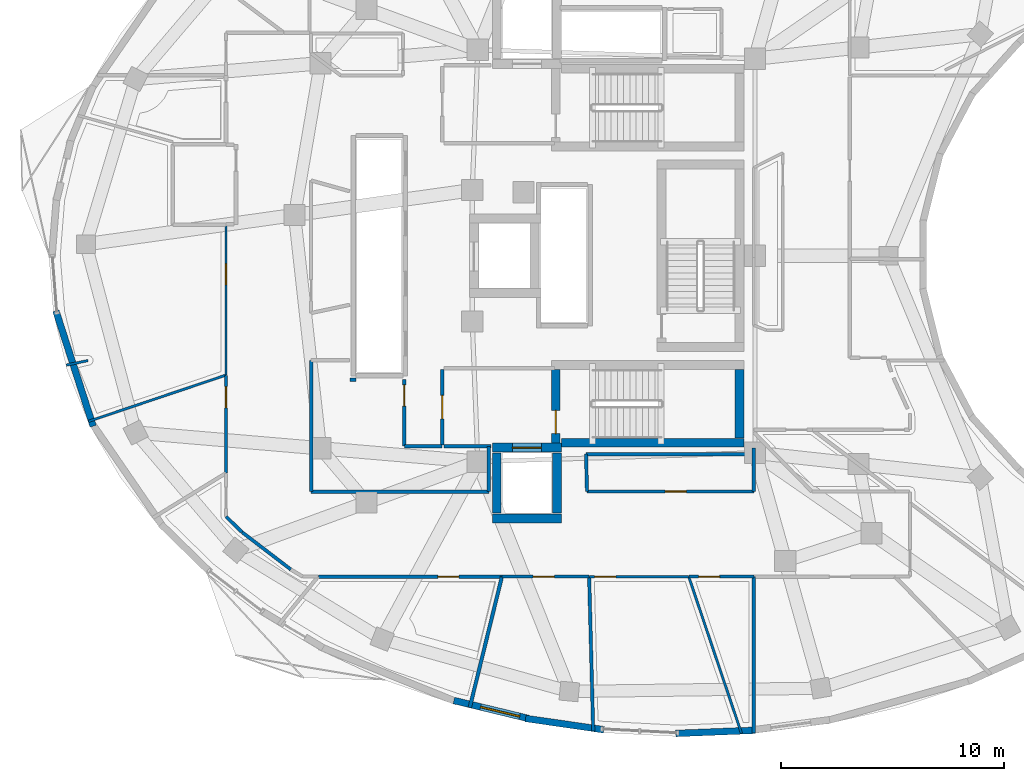
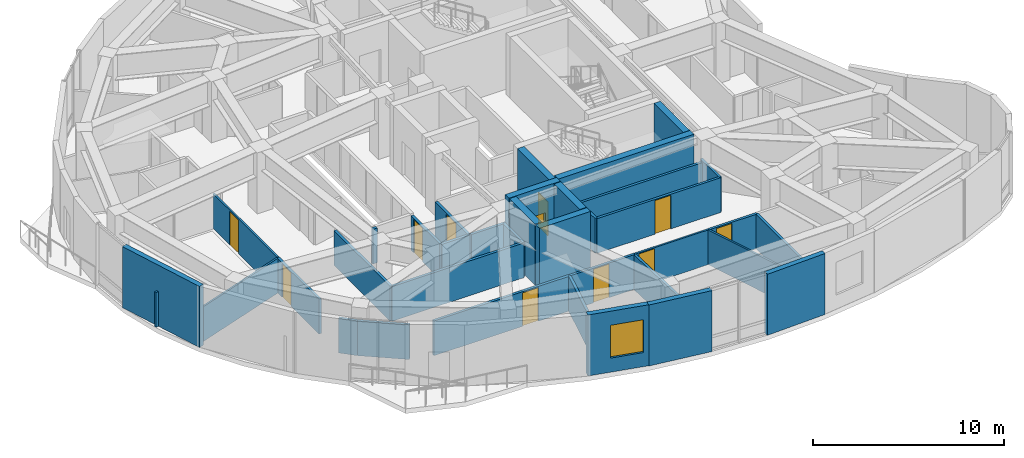
# One storey, part 6 of 13: 37 walls, 11 doors, 1 window, 12 openings.
"""IFC4 building model written with IfcOpenShell, lengths in metres."""

from ifc_helpers import new_model, si_unit, direction, frame, frame_2d, origin, place, context, subcontext, project, spatial, rectangle, extrude, material, layer, layer_set, type_object, element, fill, save


model = new_model("IFC4")

# Units and contexts
model_context = context("Model", 3, precision=1e-05, world=origin(), true_north=direction((0.0, 1.0)))
body_context = subcontext(model_context, "Body", "Model", "MODEL_VIEW")
ifc_project = project(units=[si_unit("LENGTHUNIT", "METRE"), si_unit("AREAUNIT", "SQUARE_METRE"), si_unit("VOLUMEUNIT", "CUBIC_METRE"), si_unit("PLANEANGLEUNIT", "RADIAN"), si_unit("MASSUNIT", "GRAM", prefix="KILO")], contexts=[model_context])

# Site, building, storey
site_placement = place(None, origin())
site = spatial("IfcSite", under=ifc_project, at=site_placement, CompositionType="ELEMENT")
building_placement = place(site_placement, origin())
building = spatial("IfcBuilding", under=site, at=building_placement, Name="Korentha Bioscience Tower", CompositionType="ELEMENT")
storey_placement = place(building_placement, frame((0.0, 0.0, 256.199951171875)))
storey = spatial("IfcBuildingStorey", under=building, at=storey_placement, Name="L59", CompositionType="ELEMENT", Elevation=256.199951171875)

# Wall, opening, door
ifc_material_1 = material(Name="Double-Stud Acoustic Gypsum", Category="gypsum")
ifc_layer_1 = layer(ifc_material_1, 0.14990234375, Name="Double-Stud Acoustic Gypsum")
ifc_layer_set_1 = layer_set([ifc_layer_1], Name="Double-Stud Acoustic Gypsum (IW-L150)")
wall_type_1 = type_object("IfcWallType", Name="Acoustic Laboratory Partition Wall 150", PredefinedType="PARTITIONING", material=ifc_layer_set_1)
wall_1_placement = place(storey_placement, frame((13.7900390625, 21.62890625, 0.0), z_axis=(0.0, 0.0, 1.0), x_axis=(0.0, -1.0, 0.0)))
wall_1 = element("IfcWall", 1, at=wall_1_placement, inside=storey, type_object=wall_type_1, Name="L59 Research Colloquium Seminar Room 02 Entrance Wall", PredefinedType="PARTITIONING", context=body_context, shape_type="SweptSolid", body=[
    extrude(rectangle(XDim=4.3916015625, YDim=0.14990234375, at=frame_2d((2.19580078125, 0.0))), origin(), (0.0, 0.0, 1.0), 2.219970703125),
])
opening_1_placement = place(wall_1_placement, frame((0.5107421875, 0.0, 0.0)))
opening_1 = element("IfcOpeningElement", 2, at=opening_1_placement, cuts=wall_1, Name="Opening ID-10L", PredefinedType="OPENING", context=body_context, shape_type="SweptSolid", body=[
    extrude(rectangle(XDim=0.949951171875, YDim=2.14990234375, at=frame_2d((0.47509765625, 1.074951171875))), frame((0.0, 0.08984375, 0.0), z_axis=(0.0, -1.0, 0.0), x_axis=(1.0, 0.0, 0.0)), (0.0, 0.0, 1.0), 0.1796875),
])
ifc_material_2 = material(Name="Phenolic Laminate Timber Core", Category="wood")
door_type_1 = type_object("IfcDoorType", Name="Laboratory Single Leaf Door 950x2150 Left", OperationType="SINGLE_SWING_LEFT", PredefinedType="DOOR", material=ifc_material_2)
door_1_placement = place(opening_1_placement, origin())
door_1 = element("IfcDoor", 3, at=door_1_placement, inside=storey, type_object=door_type_1, Name="L59 Research Colloquium Seminar Room 02 Door", OperationType="SINGLE_SWING_LEFT", OverallHeight=2.14990234375, OverallWidth=0.949951171875, PredefinedType="DOOR", context=body_context, shape_type="SweptSolid", body=[
    extrude(rectangle(XDim=0.949951171875, YDim=2.14990234375, at=frame_2d((0.47509765625, 1.074951171875))), frame((0.0, 0.02490234375, 0.0), z_axis=(0.0, -1.0, 0.0), x_axis=(1.0, 0.0, 0.0)), (0.0, 0.0, 1.0), 0.050048828125),
])
fill(opening_1, door_1)

wall_2_placement = place(storey_placement, frame((26.193603515625, 12.590087890625, 0.0), z_axis=(0.0, 0.0, 1.0), x_axis=(1.0, 0.0, 0.0)))
wall_2 = element("IfcWall", 4, at=wall_2_placement, inside=storey, type_object=wall_type_1, Name="L59 Epidemiology Modelling Studio 06 Entrance Wall", PredefinedType="PARTITIONING", context=body_context, shape_type="SweptSolid", body=[
    extrude(rectangle(XDim=3.90673828125, YDim=0.14990234375, at=frame_2d((1.953369140625, 0.0))), origin(), (0.0, 0.0, 1.0), 2.219970703125),
])
opening_2_placement = place(wall_2_placement, frame((1.3955078125, 0.0, 0.0)))
opening_2 = element("IfcOpeningElement", 5, at=opening_2_placement, cuts=wall_2, Name="Opening ID-10L", PredefinedType="OPENING", context=body_context, shape_type="SweptSolid", body=[
    extrude(rectangle(XDim=0.949951171875, YDim=2.14990234375, at=frame_2d((0.47509765625, 1.074951171875))), frame((0.0, 0.08984375, 0.0), z_axis=(0.0, -1.0, 0.0), x_axis=(1.0, 0.0, 0.0)), (0.0, 0.0, 1.0), 0.1796875),
])
door_2_placement = place(opening_2_placement, origin())
door_2 = element("IfcDoor", 6, at=door_2_placement, inside=storey, type_object=door_type_1, Name="L59 Epidemiology Modelling Studio 06 Door", OperationType="SINGLE_SWING_LEFT", OverallHeight=2.14990234375, OverallWidth=0.949951171875, PredefinedType="DOOR", context=body_context, shape_type="SweptSolid", body=[
    extrude(rectangle(XDim=0.949951171875, YDim=2.14990234375, at=frame_2d((0.47509765625, 1.074951171875))), frame((0.0, 0.02490234375, 0.0), z_axis=(0.0, -1.0, 0.0), x_axis=(1.0, 0.0, 0.0)), (0.0, 0.0, 1.0), 0.050048828125),
])
fill(opening_2, door_2)

wall_3_placement = place(storey_placement, frame((37.498046875, 16.409912109375, 0.0), z_axis=(0.0, 0.0, 1.0), x_axis=(-1.0, 0.0, 0.0)))
wall_3 = element("IfcWall", 7, at=wall_3_placement, inside=storey, type_object=wall_type_1, Name="L59 Grant Review Seminar Room 08 Entrance Wall", PredefinedType="PARTITIONING", context=body_context, shape_type="SweptSolid", body=[
    extrude(rectangle(XDim=7.49365234375, YDim=0.14990234375, at=frame_2d((3.746826171875, 0.0))), origin(), (0.0, 0.0, 1.0), 2.219970703125),
])
opening_3_placement = place(wall_3_placement, frame((3.033447265625, 0.0, 0.0)))
opening_3 = element("IfcOpeningElement", 8, at=opening_3_placement, cuts=wall_3, Name="Opening ID-10L", PredefinedType="OPENING", context=body_context, shape_type="SweptSolid", body=[
    extrude(rectangle(XDim=0.949951171875, YDim=2.14990234375, at=frame_2d((0.47509765625, 1.074951171875))), frame((0.0, 0.08984375, 0.0), z_axis=(0.0, -1.0, 0.0), x_axis=(1.0, 0.0, 0.0)), (0.0, 0.0, 1.0), 0.1796875),
])
door_3_placement = place(opening_3_placement, origin())
door_3 = element("IfcDoor", 9, at=door_3_placement, inside=storey, type_object=door_type_1, Name="L59 Grant Review Seminar Room 08 Door", OperationType="SINGLE_SWING_LEFT", OverallHeight=2.14990234375, OverallWidth=0.949951171875, PredefinedType="DOOR", context=body_context, shape_type="SweptSolid", body=[
    extrude(rectangle(XDim=0.949951171875, YDim=2.14990234375, at=frame_2d((0.47509765625, 1.074951171875))), frame((0.0, 0.02490234375, 0.0), z_axis=(0.0, -1.0, 0.0), x_axis=(1.0, 0.0, 0.0)), (0.0, 0.0, 1.0), 0.050048828125),
])
fill(opening_3, door_3)

wall_4_placement = place(storey_placement, frame((34.5830078125, 12.590087890625, 0.0), z_axis=(0.0, 0.0, 1.0), x_axis=(1.0, 0.0, 0.0)))
wall_4 = element("IfcWall", 10, at=wall_4_placement, inside=storey, type_object=wall_type_1, Name="L59 Daylight Break and Coffee Bar 09 Entrance Wall", PredefinedType="PARTITIONING", context=body_context, shape_type="SweptSolid", body=[
    extrude(rectangle(XDim=2.9150390625, YDim=0.14990234375, at=frame_2d((1.45751953125, 0.0))), origin(), (0.0, 0.0, 1.0), 2.219970703125),
])
opening_4_placement = place(wall_4_placement, frame((0.429443359375, 0.0, 0.0)))
opening_4 = element("IfcOpeningElement", 11, at=opening_4_placement, cuts=wall_4, Name="Opening ID-10R", PredefinedType="OPENING", context=body_context, shape_type="SweptSolid", body=[
    extrude(rectangle(XDim=0.949951171875, YDim=2.14990234375, at=frame_2d((0.47509765625, 1.074951171875))), frame((0.0, 0.08984375, 0.0), z_axis=(0.0, -1.0, 0.0), x_axis=(1.0, 0.0, 0.0)), (0.0, 0.0, 1.0), 0.1796875),
])
door_type_2 = type_object("IfcDoorType", Name="Laboratory Single Leaf Door 950x2150 Right", OperationType="SINGLE_SWING_RIGHT", PredefinedType="DOOR", material=ifc_material_2)
door_4_placement = place(opening_4_placement, origin())
door_4 = element("IfcDoor", 12, at=door_4_placement, inside=storey, type_object=door_type_2, Name="L59 Daylight Break and Coffee Bar 09 Door", OperationType="SINGLE_SWING_RIGHT", OverallHeight=2.14990234375, OverallWidth=0.949951171875, PredefinedType="DOOR", context=body_context, shape_type="SweptSolid", body=[
    extrude(rectangle(XDim=0.949951171875, YDim=2.14990234375, at=frame_2d((0.47509765625, 1.074951171875))), frame((0.0, 0.02490234375, 0.0), z_axis=(0.0, -1.0, 0.0), x_axis=(1.0, 0.0, 0.0)), (0.0, 0.0, 1.0), 0.050048828125),
])
fill(opening_4, door_4)

# Walls
wall_5_placement = place(storey_placement, frame((13.79296875, 15.2841796875, 0.0), z_axis=(0.0, 0.0, 1.0), x_axis=(0.7160122468, -0.698087718294, 0.0)))
element("IfcWall", 13, at=wall_5_placement, inside=storey, type_object=wall_type_1, Name="L59 Interior Partition 039", PredefinedType="PARTITIONING", context=body_context, shape_type="SweptSolid", body=[
    extrude(rectangle(XDim=1.0078125, YDim=0.14990234375, at=frame_2d((0.50390625, 0.0))), origin(), (0.0, 0.0, 1.0), 2.219970703125),
])
wall_6_placement = place(storey_placement, frame((14.515625, 14.579833984375, 0.0), z_axis=(0.0, 0.0, 1.0), x_axis=(0.794390609039, -0.60740724417, 0.0)))
element("IfcWall", 14, at=wall_6_placement, inside=storey, type_object=wall_type_1, Name="L59 Interior Partition 040", PredefinedType="PARTITIONING", context=body_context, shape_type="SweptSolid", body=[
    extrude(rectangle(XDim=2.74853515625, YDim=0.14990234375, at=frame_2d((1.374267578125, 0.0))), origin(), (0.0, 0.0, 1.0), 2.219970703125),
])
wall_7_placement = place(storey_placement, frame((30.100341796875, 12.590087890625, 0.0), z_axis=(0.0, 0.0, 1.0), x_axis=(0.026207563796, -0.999656522812, 0.0)))
element("IfcWall", 15, at=wall_7_placement, inside=storey, type_object=wall_type_1, Name="L59 Interior Partition 051", PredefinedType="PARTITIONING", context=body_context, shape_type="SweptSolid", body=[
    extrude(rectangle(XDim=6.930908203125, YDim=0.14990234375, at=frame_2d((3.46533203125, 0.0))), origin(), (0.0, 0.0, 1.0), 2.219970703125),
])
wall_8_placement = place(storey_placement, frame((37.498046875, 18.3642578125, 0.0), z_axis=(0.0, 0.0, 1.0), x_axis=(0.0, -1.0, 0.0)))
element("IfcWall", 16, at=wall_8_placement, inside=storey, type_object=wall_type_1, Name="L59 Interior Partition 053", PredefinedType="PARTITIONING", context=body_context, shape_type="SweptSolid", body=[
    extrude(rectangle(XDim=1.954345703125, YDim=0.14990234375, at=frame_2d((0.97705078125, 0.0))), origin(), (0.0, 0.0, 1.0), 2.219970703125),
])
wall_9_placement = place(storey_placement, frame((30.00439453125, 16.409912109375, 0.0), z_axis=(0.0, 0.0, 1.0), x_axis=(-0.026146245732, 0.999658128479, 0.0)))
element("IfcWall", 17, at=wall_9_placement, inside=storey, type_object=wall_type_1, Name="L59 Interior Partition 054", PredefinedType="PARTITIONING", context=body_context, shape_type="SweptSolid", body=[
    extrude(rectangle(XDim=1.6806640625, YDim=0.14990234375, at=frame_2d((0.84033203125, 0.0))), origin(), (0.0, 0.0, 1.0), 2.219970703125),
])
wall_10_placement = place(storey_placement, frame((29.96044921875, 18.090087890625, 0.0), z_axis=(0.0, 0.0, 1.0), x_axis=(1.0, 0.0, 0.0)))
element("IfcWall", 18, at=wall_10_placement, inside=storey, type_object=wall_type_1, Name="L59 Interior Partition 055", PredefinedType="PARTITIONING", context=body_context, shape_type="SweptSolid", body=[
    extrude(rectangle(XDim=7.3896484375, YDim=0.14990234375, at=frame_2d((3.69482421875, 0.0))), origin(), (0.0, 0.0, 1.0), 2.219970703125),
])
wall_11_placement = place(storey_placement, frame((37.498046875, 12.590087890625, 0.0), z_axis=(0.0, 0.0, 1.0), x_axis=(0.0, -1.0, 0.0)))
element("IfcWall", 19, at=wall_11_placement, inside=storey, type_object=wall_type_1, Name="L59 Interior Partition 056", PredefinedType="PARTITIONING", context=body_context, shape_type="SweptSolid", body=[
    extrude(rectangle(XDim=7.02392578125, YDim=0.14990234375, at=frame_2d((3.511962890625, 0.0))), origin(), (0.0, 0.0, 1.0), 2.219970703125),
])

# Wall, opening, door
ifc_material_3 = material(Name="Fire-Rated Framed Glass", Category="glass")
ifc_layer_2 = layer(ifc_material_3, 0.110107421875, Name="Fire-Rated Framed Glass")
ifc_layer_set_2 = layer_set([ifc_layer_2], Name="Fire-Rated Framed Glass (IW-G110)")
wall_type_2 = type_object("IfcWallType", Name="Demountable Glazed Office Partition 110", PredefinedType="MOVABLE", material=ifc_layer_set_2)
wall_12_placement = place(storey_placement, frame((13.7900390625, 28.389892578125, 0.0), z_axis=(0.0, 0.0, 1.0), x_axis=(0.0, -1.0, 0.0)))
wall_12 = element("IfcWall", 20, at=wall_12_placement, inside=storey, type_object=wall_type_2, Name="L59 Principal Investigator Office 01 Entrance Wall", PredefinedType="MOVABLE", context=body_context, shape_type="SweptSolid", body=[
    extrude(rectangle(XDim=6.75048828125, YDim=0.110107421875, at=frame_2d((3.375244140625, 0.0))), origin(), (0.0, 0.0, 1.0), 2.219970703125),
])
opening_5_placement = place(wall_12_placement, frame((1.752197265625, 0.0, 0.0)))
opening_5 = element("IfcOpeningElement", 21, at=opening_5_placement, cuts=wall_12, Name="Opening ID-10R", PredefinedType="OPENING", context=body_context, shape_type="SweptSolid", body=[
    extrude(rectangle(XDim=0.949951171875, YDim=2.14990234375, at=frame_2d((0.47509765625, 1.074951171875))), frame((0.0, 0.06982421875, 0.0), z_axis=(0.0, -1.0, 0.0), x_axis=(1.0, 0.0, 0.0)), (0.0, 0.0, 1.0), 0.139892578125),
])
door_5_placement = place(opening_5_placement, origin())
door_5 = element("IfcDoor", 22, at=door_5_placement, inside=storey, type_object=door_type_2, Name="L59 Principal Investigator Office 01 Door", OperationType="SINGLE_SWING_RIGHT", OverallHeight=2.14990234375, OverallWidth=0.949951171875, PredefinedType="DOOR", context=body_context, shape_type="SweptSolid", body=[
    extrude(rectangle(XDim=0.949951171875, YDim=2.14990234375, at=frame_2d((0.47509765625, 1.074951171875))), frame((0.0, 0.02490234375, 0.0), z_axis=(0.0, -1.0, 0.0), x_axis=(1.0, 0.0, 0.0)), (0.0, 0.0, 1.0), 0.050048828125),
])
fill(opening_5, door_5)

wall_13_placement = place(storey_placement, frame((30.1103515625, 12.590087890625, 0.0), z_axis=(0.0, 0.0, 1.0), x_axis=(1.0, 0.0, 0.0)))
wall_13 = element("IfcWall", 23, at=wall_13_placement, inside=storey, type_object=wall_type_2, Name="L59 Senior Scientist Corner Office 07 Entrance Wall", PredefinedType="MOVABLE", context=body_context, shape_type="SweptSolid", body=[
    extrude(rectangle(XDim=4.462158203125, YDim=0.110107421875, at=frame_2d((2.23095703125, 0.0))), origin(), (0.0, 0.0, 1.0), 2.219970703125),
])
opening_6_placement = place(wall_13_placement, frame((0.239990234375, 0.0, 0.0)))
opening_6 = element("IfcOpeningElement", 24, at=opening_6_placement, cuts=wall_13, Name="Opening ID-10R", PredefinedType="OPENING", context=body_context, shape_type="SweptSolid", body=[
    extrude(rectangle(XDim=0.949951171875, YDim=2.14990234375, at=frame_2d((0.47509765625, 1.074951171875))), frame((0.0, 0.06982421875, 0.0), z_axis=(0.0, -1.0, 0.0), x_axis=(1.0, 0.0, 0.0)), (0.0, 0.0, 1.0), 0.139892578125),
])
door_6_placement = place(opening_6_placement, origin())
door_6 = element("IfcDoor", 25, at=door_6_placement, inside=storey, type_object=door_type_2, Name="L59 Senior Scientist Corner Office 07 Door", OperationType="SINGLE_SWING_RIGHT", OverallHeight=2.14990234375, OverallWidth=0.949951171875, PredefinedType="DOOR", context=body_context, shape_type="SweptSolid", body=[
    extrude(rectangle(XDim=0.949951171875, YDim=2.14990234375, at=frame_2d((0.47509765625, 1.074951171875))), frame((0.0, 0.02490234375, 0.0), z_axis=(0.0, -1.0, 0.0), x_axis=(1.0, 0.0, 0.0)), (0.0, 0.0, 1.0), 0.050048828125),
])
fill(opening_6, door_6)

# Walls
wall_14_placement = place(storey_placement, frame((13.7900390625, 21.639404296875, 0.0), z_axis=(0.0, 0.0, 1.0), x_axis=(-0.947761619346, -0.318979486636, 0.0)))
element("IfcWall", 26, at=wall_14_placement, inside=storey, type_object=wall_type_2, Name="L59 Interior Partition 036", PredefinedType="MOVABLE", context=body_context, shape_type="SweptSolid", body=[
    extrude(rectangle(XDim=6.51806640625, YDim=0.110107421875, at=frame_2d((3.259033203125, 0.0))), origin(), (0.0, 0.0, 1.0), 2.219970703125),
])
wall_15_placement = place(storey_placement, frame((6.617431640625, 22.086181640625, 0.0), z_axis=(0.0, 0.0, 1.0), x_axis=(0.978112274726, 0.208077817245, 0.0)))
element("IfcWall", 27, at=wall_15_placement, inside=storey, type_object=wall_type_2, Name="L59 Interior Partition 037", PredefinedType="MOVABLE", context=body_context, shape_type="SweptSolid", body=[
    extrude(rectangle(XDim=0.999755859375, YDim=0.110107421875, at=frame_2d((0.5, 0.0))), origin(), (0.0, 0.0, 1.0), 2.219970703125),
])
wall_16_placement = place(storey_placement, frame((34.572509765625, 12.590087890625, 0.0), z_axis=(0.0, 0.0, 1.0), x_axis=(0.318948473563, -0.947772056568, 0.0)))
element("IfcWall", 28, at=wall_16_placement, inside=storey, type_object=wall_type_2, Name="L59 Interior Partition 052", PredefinedType="MOVABLE", context=body_context, shape_type="SweptSolid", body=[
    extrude(rectangle(XDim=7.426513671875, YDim=0.110107421875, at=frame_2d((3.71337890625, 0.0))), origin(), (0.0, 0.0, 1.0), 2.219970703125),
])

# Wall, opening, door
ifc_material_4 = material(Name="Gypsum-Clad Steel Stud", Category="steel")
ifc_layer_3 = layer(ifc_material_4, 0.159912109375, Name="Gypsum-Clad Steel Stud")
ifc_layer_set_3 = layer_set([ifc_layer_3], Name="Gypsum-Clad Steel Stud (IW-C160)")
wall_type_3 = type_object("IfcWallType", Name="Fire-Rated Corridor Partition Wall 160", PredefinedType="PARTITIONING", material=ifc_layer_set_3)
wall_17_placement = place(storey_placement, frame((23.5, 18.5, 0.0), z_axis=(0.0, 0.0, 1.0), x_axis=(0.0, 1.0, 0.0)))
wall_17 = element("IfcWall", 29, at=wall_17_placement, inside=storey, type_object=wall_type_3, Name="L59 FFLS-CW Rated Enclosure Wall", PredefinedType="PARTITIONING", context=body_context, shape_type="SweptSolid", body=[
    extrude(rectangle(XDim=3.39990234375, YDim=0.159912109375, at=frame_2d((1.699951171875, 0.0))), origin(), (0.0, 0.0, 1.0), 2.219970703125),
])
opening_7_placement = place(wall_17_placement, frame((1.175048828125, 0.0, 0.0)))
opening_7 = element("IfcOpeningElement", 30, at=opening_7_placement, cuts=wall_17, Name="Opening FD-90R", PredefinedType="OPENING", context=body_context, shape_type="SweptSolid", body=[
    extrude(rectangle(XDim=1.050048828125, YDim=2.14990234375, at=frame_2d((0.52490234375, 1.074951171875))), frame((0.0, 0.0947265625, 0.0), z_axis=(0.0, -1.0, 0.0), x_axis=(1.0, 0.0, 0.0)), (0.0, 0.0, 1.0), 0.189697265625),
])
ifc_material_5 = material(Name="Powder-Coated Fire-Rated Steel", Category="steel")
door_type_3 = type_object("IfcDoorType", Name="Stairwell Fire Exit Door 1050x2150 Right", OperationType="SINGLE_SWING_RIGHT", PredefinedType="DOOR", material=ifc_material_5)
door_7_placement = place(opening_7_placement, origin())
door_7 = element("IfcDoor", 31, at=door_7_placement, inside=storey, type_object=door_type_3, Name="L59 South Firefighting Lobby Door", OperationType="SINGLE_SWING_RIGHT", OverallHeight=2.14990234375, OverallWidth=1.050048828125, PredefinedType="DOOR", context=body_context, shape_type="SweptSolid", body=[
    extrude(rectangle(XDim=1.050048828125, YDim=2.14990234375, at=frame_2d((0.52490234375, 1.074951171875))), frame((0.0, 0.02490234375, 0.0), z_axis=(0.0, -1.0, 0.0), x_axis=(1.0, 0.0, 0.0)), (0.0, 0.0, 1.0), 0.050048828125),
])
fill(opening_7, door_7)

# Wall
wall_18_placement = place(storey_placement, frame((23.580078125, 18.449951171875, 0.0), z_axis=(0.0, 0.0, 1.0), x_axis=(1.0, 0.0, 0.0)))
element("IfcWall", 32, at=wall_18_placement, inside=storey, type_object=wall_type_3, Name="L59 Firefighting Lobby Return Wall FFLS-S", PredefinedType="PARTITIONING", context=body_context, shape_type="SweptSolid", body=[
    extrude(rectangle(XDim=2.119873046875, YDim=0.159912109375, at=frame_2d((1.06005859375, 0.0))), origin(), (0.0, 0.0, 1.0), 2.219970703125),
])

# Wall, opening, door
wall_19_placement = place(storey_placement, frame((21.7900390625, 21.43994140625, 0.0), z_axis=(0.0, 0.0, 1.0), x_axis=(0.0, -1.0, 0.0)))
wall_19 = element("IfcWall", 33, at=wall_19_placement, inside=storey, type_object=wall_type_3, Name="L59 Biospecimen Archive Store 04 Entrance Wall", PredefinedType="PARTITIONING", context=body_context, shape_type="SweptSolid", body=[
    extrude(rectangle(XDim=2.989990234375, YDim=0.159912109375, at=frame_2d((1.4951171875, 0.0))), origin(), (0.0, 0.0, 1.0), 2.219970703125),
])
opening_8_placement = place(wall_19_placement, frame((0.239990234375, 0.0, 0.0)))
opening_8 = element("IfcOpeningElement", 34, at=opening_8_placement, cuts=wall_19, Name="Opening ID-10L", PredefinedType="OPENING", context=body_context, shape_type="SweptSolid", body=[
    extrude(rectangle(XDim=0.949951171875, YDim=2.14990234375, at=frame_2d((0.47509765625, 1.074951171875))), frame((0.0, 0.0947265625, 0.0), z_axis=(0.0, -1.0, 0.0), x_axis=(1.0, 0.0, 0.0)), (0.0, 0.0, 1.0), 0.189697265625),
])
door_8_placement = place(opening_8_placement, origin())
door_8 = element("IfcDoor", 35, at=door_8_placement, inside=storey, type_object=door_type_1, Name="L59 Biospecimen Archive Store 04 Door", OperationType="SINGLE_SWING_LEFT", OverallHeight=2.14990234375, OverallWidth=0.949951171875, PredefinedType="DOOR", context=body_context, shape_type="SweptSolid", body=[
    extrude(rectangle(XDim=0.949951171875, YDim=2.14990234375, at=frame_2d((0.47509765625, 1.074951171875))), frame((0.0, 0.02490234375, 0.0), z_axis=(0.0, -1.0, 0.0), x_axis=(1.0, 0.0, 0.0)), (0.0, 0.0, 1.0), 0.050048828125),
])
fill(opening_8, door_8)

wall_20_placement = place(storey_placement, frame((17.93798828125, 12.590087890625, 0.0), z_axis=(0.0, 0.0, 1.0), x_axis=(1.0, 0.0, 0.0)))
wall_20 = element("IfcWall", 36, at=wall_20_placement, inside=storey, type_object=wall_type_3, Name="L59 Cold-Chain Stability Chamber 05 Entrance Wall", PredefinedType="PARTITIONING", context=body_context, shape_type="SweptSolid", body=[
    extrude(rectangle(XDim=8.24560546875, YDim=0.159912109375, at=frame_2d((4.122802734375, 0.0))), origin(), (0.0, 0.0, 1.0), 2.219970703125),
])
opening_9_placement = place(wall_20_placement, frame((5.3642578125, 0.0, 0.0)))
opening_9 = element("IfcOpeningElement", 37, at=opening_9_placement, cuts=wall_20, Name="Opening ID-10R", PredefinedType="OPENING", context=body_context, shape_type="SweptSolid", body=[
    extrude(rectangle(XDim=0.949951171875, YDim=2.14990234375, at=frame_2d((0.47509765625, 1.074951171875))), frame((0.0, 0.0947265625, 0.0), z_axis=(0.0, -1.0, 0.0), x_axis=(1.0, 0.0, 0.0)), (0.0, 0.0, 1.0), 0.189697265625),
])
door_9_placement = place(opening_9_placement, origin())
door_9 = element("IfcDoor", 38, at=door_9_placement, inside=storey, type_object=door_type_2, Name="L59 Cold-Chain Stability Chamber 05 Door", OperationType="SINGLE_SWING_RIGHT", OverallHeight=2.14990234375, OverallWidth=0.949951171875, PredefinedType="DOOR", context=body_context, shape_type="SweptSolid", body=[
    extrude(rectangle(XDim=0.949951171875, YDim=2.14990234375, at=frame_2d((0.47509765625, 1.074951171875))), frame((0.0, 0.02490234375, 0.0), z_axis=(0.0, -1.0, 0.0), x_axis=(1.0, 0.0, 0.0)), (0.0, 0.0, 1.0), 0.050048828125),
])
fill(opening_9, door_9)

# Walls
wall_21_placement = place(storey_placement, frame((19.35009765625, 21.43994140625, 0.0), z_axis=(0.0, 0.0, 1.0), x_axis=(1.0, 0.0, 0.0)))
element("IfcWall", 39, at=wall_21_placement, inside=storey, type_object=wall_type_3, Name="L59 Interior Partition 044", PredefinedType="PARTITIONING", context=body_context, shape_type="SweptSolid", body=[
    extrude(rectangle(XDim=0.27001953125, YDim=0.159912109375, at=frame_2d((0.135009765625, 0.0))), origin(), (0.0, 0.0, 1.0), 2.219970703125),
])
wall_22_placement = place(storey_placement, frame((21.800048828125, 18.43994140625, 0.0), z_axis=(0.0, 0.0, 1.0), x_axis=(1.0, 0.0, 0.0)))
element("IfcWall", 40, at=wall_22_placement, inside=storey, type_object=wall_type_3, Name="L59 Interior Partition 045", PredefinedType="PARTITIONING", context=body_context, shape_type="SweptSolid", body=[
    extrude(rectangle(XDim=1.68994140625, YDim=0.159912109375, at=frame_2d((0.844970703125, 0.0))), origin(), (0.0, 0.0, 1.0), 2.219970703125),
])
wall_23_placement = place(storey_placement, frame((25.60009765625, 18.43603515625, 0.0), z_axis=(0.0, 0.0, 1.0), x_axis=(0.0, -1.0, 0.0)))
element("IfcWall", 41, at=wall_23_placement, inside=storey, type_object=wall_type_3, Name="L59 Interior Partition 046", PredefinedType="PARTITIONING", context=body_context, shape_type="SweptSolid", body=[
    extrude(rectangle(XDim=2.026123046875, YDim=0.159912109375, at=frame_2d((1.01318359375, 0.0))), origin(), (0.0, 0.0, 1.0), 2.219970703125),
])
wall_24_placement = place(storey_placement, frame((25.60009765625, 16.409912109375, 0.0), z_axis=(0.0, 0.0, 1.0), x_axis=(-1.0, 0.0, 0.0)))
element("IfcWall", 42, at=wall_24_placement, inside=storey, type_object=wall_type_3, Name="L59 Interior Partition 047", PredefinedType="PARTITIONING", context=body_context, shape_type="SweptSolid", body=[
    extrude(rectangle(XDim=7.989990234375, YDim=0.159912109375, at=frame_2d((3.9951171875, 0.0))), origin(), (0.0, 0.0, 1.0), 2.219970703125),
])
wall_25_placement = place(storey_placement, frame((17.610107421875, 16.409912109375, 0.0), z_axis=(0.0, 0.0, 1.0), x_axis=(0.0, 1.0, 0.0)))
element("IfcWall", 43, at=wall_25_placement, inside=storey, type_object=wall_type_3, Name="L59 Interior Partition 048", PredefinedType="PARTITIONING", context=body_context, shape_type="SweptSolid", body=[
    extrude(rectangle(XDim=5.88818359375, YDim=0.159912109375, at=frame_2d((2.944091796875, 0.0))), origin(), (0.0, 0.0, 1.0), 2.219970703125),
])
wall_26_placement = place(storey_placement, frame((26.18359375, 12.590087890625, 0.0), z_axis=(0.0, 0.0, 1.0), x_axis=(-0.238531404219, -0.971134784261, 0.0)))
element("IfcWall", 44, at=wall_26_placement, inside=storey, type_object=wall_type_3, Name="L59 Interior Partition 050", PredefinedType="PARTITIONING", context=body_context, shape_type="SweptSolid", body=[
    extrude(rectangle(XDim=6.05712890625, YDim=0.159912109375, at=frame_2d((3.028564453125, 0.0))), origin(), (0.0, 0.0, 1.0), 2.219970703125),
])

# Wall, opening, window
ifc_material_6 = material(Name="Honed Limestone Precast Concrete C40", Category="masonry")
ifc_layer_4 = layer(ifc_material_6, 0.300048828125, Name="Honed Limestone Precast Concrete C40")
ifc_layer_set_4 = layer_set([ifc_layer_4], Name="Honed Limestone Precast Concrete C40 (EW-ST300)")
wall_type_4 = type_object("IfcWallType", Name="Honed Limestone Cavity Spandrel Wall 300", PredefinedType="STANDARD", material=ifc_layer_set_4)
wall_27_placement = place(storey_placement, frame((24.022216796875, 7.02490234375, 0.0), z_axis=(0.0, 0.0, 1.0), x_axis=(0.972019132567, -0.23490169417, 0.0)))
wall_27 = element("IfcWall", 45, at=wall_27_placement, inside=storey, type_object=wall_type_4, Name="L59 Honed Limestone Spandrel Wall 29", PredefinedType="STANDARD", context=body_context, shape_type="SweptSolid", body=[
    extrude(rectangle(XDim=3.472412109375, YDim=0.300048828125, at=frame_2d((1.736328125, 0.0))), origin(), (0.0, 0.0, 1.0), 3.900146484375),
])
opening_10_placement = place(wall_27_placement, frame((1.23876953125, 0.0, 0.89990234375)))
opening_10 = element("IfcOpeningElement", 46, at=opening_10_placement, cuts=wall_27, Name="Opening WN-01", PredefinedType="OPENING", context=body_context, shape_type="SweptSolid", body=[
    extrude(rectangle(XDim=1.800048828125, YDim=2.10009765625, at=frame_2d((0.89990234375, 1.050048828125))), frame((0.0, 0.1650390625, 0.0), z_axis=(0.0, -1.0, 0.0), x_axis=(1.0, 0.0, 0.0)), (0.0, 0.0, 1.0), 0.329833984375),
])
ifc_material_7 = material(Name="Thermally Broken Aluminium Triple Glazing", Category="aluminium")
window_type = type_object("IfcWindowType", Name="Triple-Glazed Fixed Bioscience Window 1800x2100", PartitioningType="SINGLE_PANEL", PredefinedType="WINDOW", material=ifc_material_7)
window_placement = place(opening_10_placement, origin())
window = element("IfcWindow", 47, at=window_placement, inside=storey, type_object=window_type, Name="L59 Facade Window 29", OverallHeight=2.10009765625, OverallWidth=1.800048828125, PartitioningType="SINGLE_PANEL", PredefinedType="WINDOW", context=body_context, shape_type="SweptSolid", body=[
    extrude(rectangle(XDim=1.800048828125, YDim=2.10009765625, at=frame_2d((0.89990234375, 1.050048828125))), frame((0.0, 0.030029296875, 0.0), z_axis=(0.0, -1.0, 0.0), x_axis=(1.0, 0.0, 0.0)), (0.0, 0.0, 1.0), 0.06005859375),
])
fill(opening_10, window)

# Walls
wall_28_placement = place(storey_placement, frame((6.147216796875, 24.529052734375, 0.0), z_axis=(0.0, 0.0, 1.0), x_axis=(0.307501658213, -0.951547544895, 0.0)))
element("IfcWall", 48, at=wall_28_placement, inside=storey, type_object=wall_type_4, Name="L59 Limestone Perimeter Closure Wall 20", PredefinedType="STANDARD", context=body_context, shape_type="SweptSolid", body=[
    extrude(rectangle(XDim=5.447265625, YDim=0.300048828125, at=frame_2d((2.7236328125, 0.0))), origin(), (0.0, 0.0, 1.0), 3.900146484375),
])
wall_29_placement = place(storey_placement, frame((27.242431640625, 6.218017578125, 0.0), z_axis=(0.0, 0.0, 1.0), x_axis=(0.989722957179, -0.142998139962, 0.0)))
element("IfcWall", 49, at=wall_29_placement, inside=storey, type_object=wall_type_4, Name="L59 Limestone Perimeter Closure Wall 30", PredefinedType="STANDARD", context=body_context, shape_type="SweptSolid", body=[
    extrude(rectangle(XDim=3.5546875, YDim=0.300048828125, at=frame_2d((1.77734375, 0.0))), origin(), (0.0, 0.0, 1.0), 3.900146484375),
])
wall_30_placement = place(storey_placement, frame((33.98779296875, 5.543212890625, 0.0), z_axis=(0.0, 0.0, 1.0), x_axis=(0.999208461954, 0.039780014567, 0.0)))
element("IfcWall", 50, at=wall_30_placement, inside=storey, type_object=wall_type_4, Name="L59 Limestone Perimeter Closure Wall 32", PredefinedType="STANDARD", context=body_context, shape_type="SweptSolid", body=[
    extrude(rectangle(XDim=3.578125, YDim=0.300048828125, at=frame_2d((1.7890625, 0.0))), origin(), (0.0, 0.0, 1.0), 3.900146484375),
])
ifc_material_8 = material(Name="Concrete C65", Category="concrete")
ifc_layer_5 = layer(ifc_material_8, 0.39990234375, Name="Concrete C65")
ifc_layer_set_5 = layer_set([ifc_layer_5], Name="Concrete C65 (CW-C65)")
wall_type_5 = type_object("IfcWallType", Name="Mid-Rise Core Shear Wall 400", PredefinedType="SHEAR", material=ifc_layer_set_5)
wall_31_placement = place(storey_placement, frame((28.85205078125, 18.60009765625, 0.0), z_axis=(0.0, 0.0, 1.0), x_axis=(1.0, 0.0, 0.0)))
element("IfcWall", 51, at=wall_31_placement, inside=storey, type_object=wall_type_5, Name="L59 Core Shear Wall ST2-S", PredefinedType="SHEAR", context=body_context, shape_type="SweptSolid", body=[
    extrude(rectangle(XDim=8.197998046875, YDim=0.39990234375, at=frame_2d((4.09912109375, 0.0))), origin(), (0.0, 0.0, 1.0), 3.900146484375),
])
wall_32_placement = place(storey_placement, frame((36.85009765625, 18.81005859375, 0.0), z_axis=(0.0, 0.0, 1.0), x_axis=(0.0, 1.0, 0.0)))
element("IfcWall", 52, at=wall_32_placement, inside=storey, type_object=wall_type_5, Name="L59 Core Shear Wall ST2-E", PredefinedType="SHEAR", context=body_context, shape_type="SweptSolid", body=[
    extrude(rectangle(XDim=3.079833984375, YDim=0.39990234375, at=frame_2d((1.5400390625, 0.0))), origin(), (0.0, 0.0, 1.0), 3.900146484375),
])

# Wall, opening, door
wall_33_placement = place(storey_placement, frame((28.60009765625, 18.58203125, 0.0), z_axis=(0.0, 0.0, 1.0), x_axis=(0.0, 1.0, 0.0)))
wall_33 = element("IfcWall", 53, at=wall_33_placement, inside=storey, type_object=wall_type_5, Name="L59 Core Shear Wall ST2-W", PredefinedType="SHEAR", context=body_context, shape_type="SweptSolid", body=[
    extrude(rectangle(XDim=3.307861328125, YDim=0.39990234375, at=frame_2d((1.65380859375, 0.0))), origin(), (0.0, 0.0, 1.0), 3.900146484375),
])
opening_11_placement = place(wall_33_placement, frame((0.427978515625, 0.0, 0.0)))
opening_11 = element("IfcOpeningElement", 54, at=opening_11_placement, cuts=wall_33, Name="Opening FD-90R", PredefinedType="OPENING", context=body_context, shape_type="SweptSolid", body=[
    extrude(rectangle(XDim=1.050048828125, YDim=2.14990234375, at=frame_2d((0.52490234375, 1.074951171875))), frame((0.0, 0.21484375, 0.0), z_axis=(0.0, -1.0, 0.0), x_axis=(1.0, 0.0, 0.0)), (0.0, 0.0, 1.0), 0.4296875),
])
door_10_placement = place(opening_11_placement, origin())
door_10 = element("IfcDoor", 55, at=door_10_placement, inside=storey, type_object=door_type_3, Name="L59 ST-2 Fire Exit Stair Door", OperationType="SINGLE_SWING_RIGHT", OverallHeight=2.14990234375, OverallWidth=1.050048828125, PredefinedType="DOOR", context=body_context, shape_type="SweptSolid", body=[
    extrude(rectangle(XDim=1.050048828125, YDim=2.14990234375, at=frame_2d((0.52490234375, 1.074951171875))), frame((0.0, 0.02490234375, 0.0), z_axis=(0.0, -1.0, 0.0), x_axis=(1.0, 0.0, 0.0)), (0.0, 0.0, 1.0), 0.050048828125),
])
fill(opening_11, door_10)

# Wall
wall_34_placement = place(storey_placement, frame((25.75, 15.199951171875, 0.0), z_axis=(0.0, 0.0, 1.0), x_axis=(1.0, 0.0, 0.0)))
element("IfcWall", 56, at=wall_34_placement, inside=storey, type_object=wall_type_5, Name="L59 Core Shear Wall FFL1-S", PredefinedType="SHEAR", context=body_context, shape_type="SweptSolid", body=[
    extrude(rectangle(XDim=3.10009765625, YDim=0.39990234375, at=frame_2d((1.550048828125, 0.0))), origin(), (0.0, 0.0, 1.0), 3.900146484375),
])

# Wall, opening, door
wall_35_placement = place(storey_placement, frame((25.75, 18.3798828125, 0.0), z_axis=(0.0, 0.0, 1.0), x_axis=(1.0, 0.0, 0.0)))
wall_35 = element("IfcWall", 57, at=wall_35_placement, inside=storey, type_object=wall_type_5, Name="L59 Core Shear Wall FFL1-N", PredefinedType="SHEAR", context=body_context, shape_type="SweptSolid", body=[
    extrude(rectangle(XDim=3.10009765625, YDim=0.39990234375, at=frame_2d((1.550048828125, 0.0))), origin(), (0.0, 0.0, 1.0), 3.900146484375),
])
opening_12_placement = place(wall_35_placement, frame((0.89990234375, 0.0, 0.0)))
opening_12 = element("IfcOpeningElement", 58, at=opening_12_placement, cuts=wall_35, Name="Opening LD-13", PredefinedType="OPENING", context=body_context, shape_type="SweptSolid", body=[
    extrude(rectangle(XDim=1.300048828125, YDim=2.199951171875, at=frame_2d((0.64990234375, 1.10009765625))), frame((0.0, 0.21484375, 0.0), z_axis=(0.0, -1.0, 0.0), x_axis=(1.0, 0.0, 0.0)), (0.0, 0.0, 1.0), 0.4296875),
])
ifc_material_9 = material(Name="Brushed Stainless Steel 316", Category="steel")
door_type_4 = type_object("IfcDoorType", Name="Service & Firefighting Lift Landing Door 1300x2300", OperationType="DOUBLE_DOOR_SLIDING", PredefinedType="DOOR", material=ifc_material_9)
door_11_placement = place(opening_12_placement, origin())
door_11 = element("IfcDoor", 59, at=door_11_placement, inside=storey, type_object=door_type_4, Name="L59 FFL-1 Sliding Lift Landing Door", OperationType="DOUBLE_DOOR_SLIDING", OverallHeight=2.199951171875, OverallWidth=1.300048828125, PredefinedType="DOOR", context=body_context, shape_type="SweptSolid", body=[
    extrude(rectangle(XDim=1.300048828125, YDim=2.199951171875, at=frame_2d((0.64990234375, 1.10009765625))), frame((0.0, 0.02490234375, 0.0), z_axis=(0.0, -1.0, 0.0), x_axis=(1.0, 0.0, 0.0)), (0.0, 0.0, 1.0), 0.050048828125),
])
fill(opening_12, door_11)

# Walls
for number, where, z_axis, x_axis, name in (
    (60, (25.949951171875, 15.43994140625, 0.0), (0.0, 0.0, 1.0), (0.0, 1.0, 0.0), "L59 Core Shear Wall FFL1-W"),
    (61, (28.64990234375, 15.43994140625, 0.0), (0.0, 0.0, 1.0), (0.0, 1.0, 0.0), "L59 Core Shear Wall FFL1-E"),
):
    element("IfcWall", number, at=place(storey_placement, frame(where, z_axis=z_axis, x_axis=x_axis)), inside=storey, type_object=wall_type_5, Name=name, PredefinedType="SHEAR", context=body_context, shape_type="SweptSolid", body=[
        extrude(rectangle(XDim=2.699951171875, YDim=0.39990234375, at=frame_2d((1.35009765625, 0.0))), origin(), (0.0, 0.0, 1.0), 3.900146484375),
    ])

save(model, "model.ifc")
